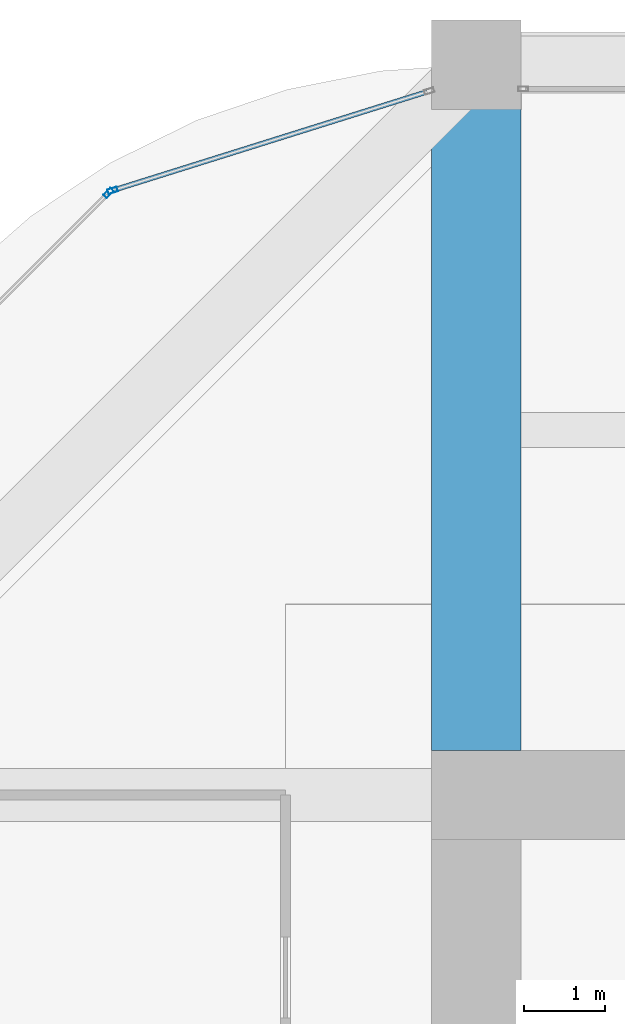
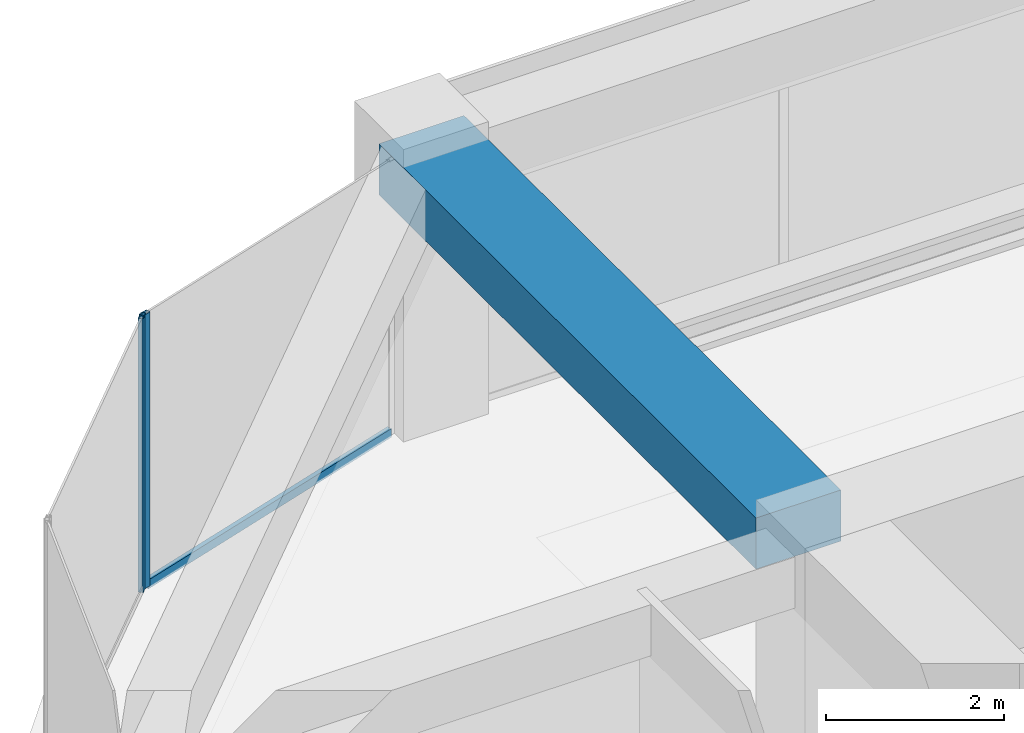
# One storey, part 30 of 44: 3 members, 1 beam, 2 elements without a shape of their own.
"""IFC4 building model written with IfcOpenShell, lengths in metres."""

from ifc_helpers import new_model, si_unit, direction, frame, origin, origin_2d, place, context, subcontext, project, spatial, rectangle, hollow_rectangle, extrude, material, material_profile, profile_set, type_object, element, aggregate, save


model = new_model("IFC4")

# Units and contexts
model_context = context("Model", 3, precision=1e-05, world=origin(), true_north=direction((0.0, 1.0)))
body_context = subcontext(model_context, "Body", "Model", "MODEL_VIEW")
ifc_project = project(units=[si_unit("LENGTHUNIT", "METRE"), si_unit("AREAUNIT", "SQUARE_METRE"), si_unit("VOLUMEUNIT", "CUBIC_METRE"), si_unit("PLANEANGLEUNIT", "RADIAN"), si_unit("MASSUNIT", "GRAM", prefix="KILO")], contexts=[model_context])

# Site, building, storey
site_placement = place(None, origin())
site = spatial("IfcSite", under=ifc_project, at=site_placement, CompositionType="ELEMENT")
building_placement = place(site_placement, origin())
building = spatial("IfcBuilding", under=site, at=building_placement, Name="Zorevar Civic Tower", CompositionType="ELEMENT")
storey_placement = place(building_placement, frame((0.0, 0.0, 287.39990234375)))
storey = spatial("IfcBuildingStorey", under=building, at=storey_placement, Name="L70", CompositionType="ELEMENT", Elevation=287.39990234375)

# Beam
ifc_material_1 = material(Name="Concrete C50/60", Category="concrete")
ifc_material_profile_1 = material_profile(ifc_material_1, rectangle(XDim=1.10009765625, YDim=0.699951171875, at=origin_2d()), Name="RC 1100x700")
ifc_profile_set_1 = profile_set([ifc_material_profile_1], Name="Concrete C50/60")
beam_type = type_object("IfcBeamType", Name="Beam RC 1100x700", PredefinedType="BEAM", material=ifc_profile_set_1)
beam_placement = place(storey_placement, frame((18.0, 36.550048828125, 3.400146484375), z_axis=(0.0, 1.0, 0.0), x_axis=(-1.0, 0.0, 0.0)))
element("IfcBeam", 1, at=beam_placement, inside=storey, type_object=beam_type, Name="Girder L71", PredefinedType="BEAM", context=body_context, shape_type="SweptSolid", body=[
    extrude(rectangle(XDim=1.10009765625, YDim=0.699951171875, at=origin_2d()), origin(), (0.0, 0.0, 1.0), 8.449951171875),
])

# Curtain wall, member
ifc_material_2 = material(Name="Dark grey solar-control glass in black aluminium frame", Category="aluminium")
curtain_wall_type = type_object("IfcCurtainWallType", Name="Curtain wall CW5 top zone", PredefinedType="NOTDEFINED", material=ifc_material_2)
curtain_wall_1_placement = place(storey_placement, origin())
curtain_wall_1 = element("IfcCurtainWall", 2, at=curtain_wall_1_placement, inside=storey, type_object=curtain_wall_type, Name="CW5 L70", PredefinedType="NOTDEFINED")
ifc_material_3 = material(Name="Aluminium, black anodised", Category="aluminium")
ifc_material_profile_2 = material_profile(ifc_material_3, hollow_rectangle(XDim=0.06005859375, YDim=0.1201171875, WallThickness=0.0029296875, at=origin_2d()), Name="AL 120x60x3")
ifc_profile_set_2 = profile_set([ifc_material_profile_2], Name="Aluminium, black anodised")
member_type_1 = type_object("IfcMemberType", Name="CW5 mullion AL 120x60x3", PredefinedType="MULLION", material=ifc_profile_set_2)
member_1_placement = place(storey_placement, frame((13.520751953125, 43.449951171875, 0.0), z_axis=(0.0, 0.0, 1.0), x_axis=(0.299317920238, -0.954153437674, 0.0)))
member_1 = element("IfcMember", 3, at=member_1_placement, type_object=member_type_1, Name="CW5 mullion 2", PredefinedType="MULLION", context=body_context, shape_type="SweptSolid", body=[
    extrude(hollow_rectangle(XDim=0.06005859375, YDim=0.1201171875, WallThickness=0.0029296875, at=origin_2d()), origin(), (0.0, 0.0, 1.0), 3.75),
])

curtain_wall_2_placement = place(storey_placement, origin())
curtain_wall_2 = element("IfcCurtainWall", 4, at=curtain_wall_2_placement, inside=storey, type_object=curtain_wall_type, Name="CW5 L70", PredefinedType="NOTDEFINED")
member_2_placement = place(storey_placement, frame((13.470947265625, 43.419677734375, 0.0), z_axis=(0.0, 0.0, 1.0), x_axis=(0.707106781187, -0.707106781187, 0.0)))
member_2 = element("IfcMember", 5, at=member_2_placement, type_object=member_type_1, Name="CW5 mullion 1", PredefinedType="MULLION", context=body_context, shape_type="SweptSolid", body=[
    extrude(hollow_rectangle(XDim=0.06005859375, YDim=0.1201171875, WallThickness=0.0029296875, at=origin_2d()), origin(), (0.0, 0.0, 1.0), 3.75),
])
aggregate(curtain_wall_2, [member_2])

# Member
ifc_material_4 = material(Name="Aluminium, black anodised", Category="aluminium")
ifc_material_profile_3 = material_profile(ifc_material_4, hollow_rectangle(XDim=0.06005859375, YDim=0.1201171875, WallThickness=0.0029296875, at=origin_2d()), Name="AL 120x60x3")
ifc_profile_set_3 = profile_set([ifc_material_profile_3], Name="Aluminium, black anodised")
member_type_2 = type_object("IfcMemberType", Name="CW5 transom AL 120x60x3", PredefinedType="USERDEFINED", material=ifc_profile_set_3)
member_3_placement = place(storey_placement, frame((17.392822265625, 44.66455078125, 0.030029296875), z_axis=(-0.954163457351, -0.299285978047, 0.0), x_axis=(0.299285978047, -0.954163457351, 0.0)))
member_3 = element("IfcMember", 6, at=member_3_placement, type_object=member_type_2, Name="CW5 sill transom", ObjectType="TRANSOM", PredefinedType="USERDEFINED", context=body_context, shape_type="SweptSolid", body=[
    extrude(hollow_rectangle(XDim=0.06005859375, YDim=0.1201171875, WallThickness=0.0029296875, at=origin_2d()), origin(), (0.0, 0.0, 1.0), 4.028076171875),
])

aggregate(curtain_wall_1, [member_1, member_3])

save(model, "model.ifc")
